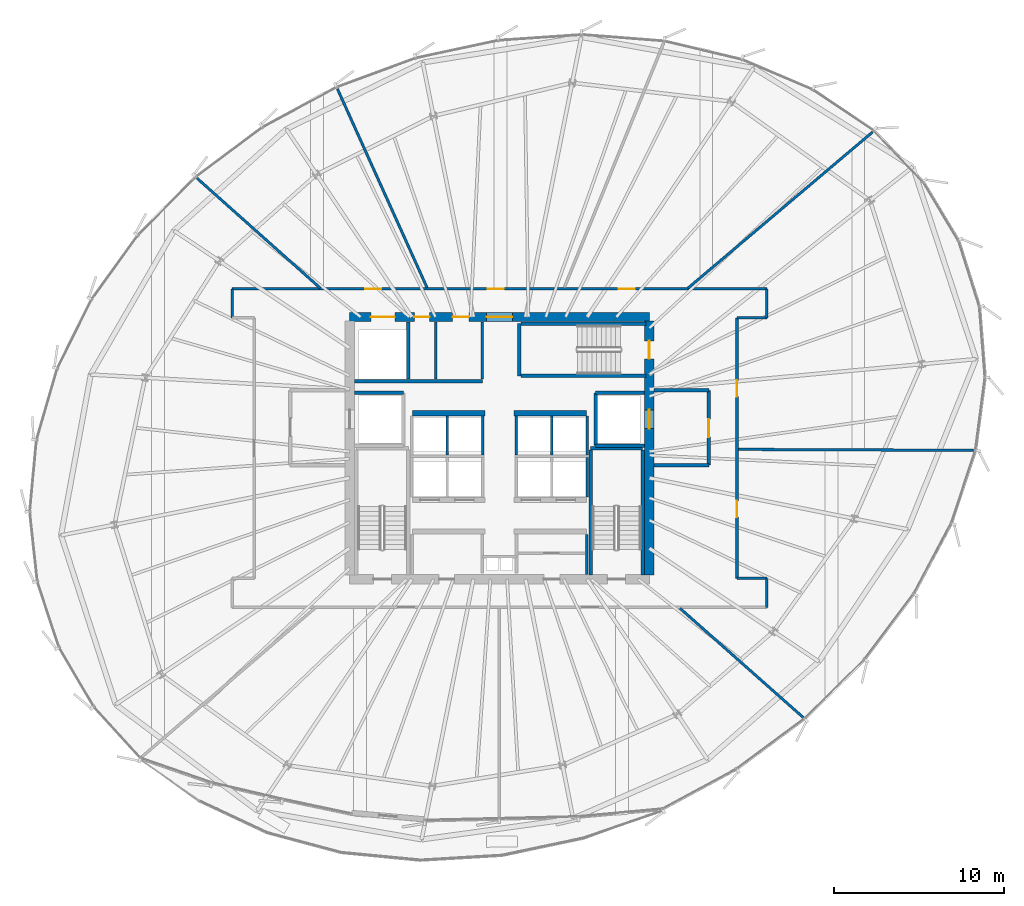
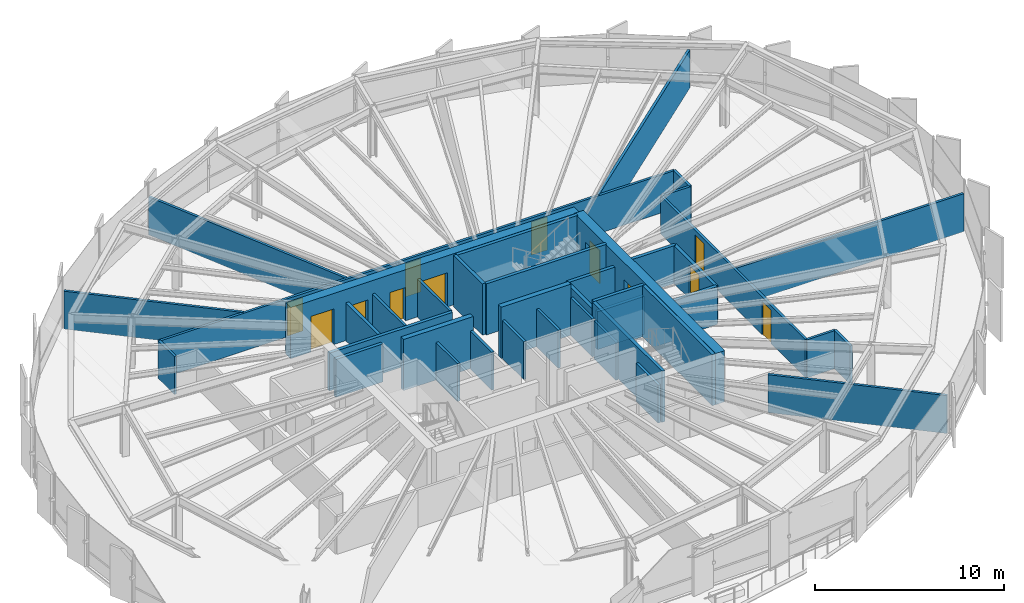
# One storey, part 32 of 37: 40 walls, 12 doors, 12 openings.
"""IFC4 building model written with IfcOpenShell, lengths in metres."""

from ifc_helpers import new_model, si_unit, direction, frame, frame_2d, origin, place, context, subcontext, project, spatial, rectangle, extrude, source, transform, mapped, material, layer, layer_set, type_object, element, fill, save


model = new_model("IFC4")

# Units and contexts
model_context = context("Model", 3, precision=1e-05, world=origin(), true_north=direction((0.0, 1.0)))
body_context = subcontext(model_context, "Body", "Model", "MODEL_VIEW")
ifc_project = project(units=[si_unit("LENGTHUNIT", "METRE"), si_unit("AREAUNIT", "SQUARE_METRE"), si_unit("VOLUMEUNIT", "CUBIC_METRE"), si_unit("PLANEANGLEUNIT", "RADIAN"), si_unit("MASSUNIT", "GRAM", prefix="KILO"), si_unit("THERMODYNAMICTEMPERATUREUNIT", "KELVIN")], contexts=[model_context])

# Site, building, storey
site_placement = place(None, origin())
site = spatial("IfcSite", under=ifc_project, at=site_placement, CompositionType="ELEMENT")
building_placement = place(site_placement, origin())
building = spatial("IfcBuilding", under=site, at=building_placement, Name="Kethvar Cultural Tower", CompositionType="ELEMENT")
storey_placement = place(building_placement, frame((0.0, 0.0, 132.35009765625)))
storey = spatial("IfcBuildingStorey", under=building, at=storey_placement, Name="L33", CompositionType="ELEMENT", Elevation=132.35009765625)

# Wall, openings, doors
ifc_material_1 = material(Name="Concrete C60/75", Category="concrete")
ifc_layer_1 = layer(ifc_material_1, 0.550048828125, Name="Concrete C60/75", Category="concrete")
ifc_layer_set_1 = layer_set([ifc_layer_1], Name="Concrete C60/75 (550 mm)")
wall_type_1 = type_object("IfcWallType", Name="WL-CORE-550", PredefinedType="SHEAR", material=ifc_layer_set_1)
wall_1_placement = place(storey_placement, frame((55.60009765625, 35.5, 0.0), z_axis=(0.0, 0.0, 1.0), x_axis=(-1.0, 0.0, 0.0)))
wall_1 = element("IfcWall", 1, at=wall_1_placement, inside=storey, type_object=wall_type_1, Name="L33 Core Shear Wall N", PredefinedType="SHEAR", context=body_context, shape_type="SweptSolid", body=[
    extrude(rectangle(XDim=17.60009765625, YDim=0.550048828125, at=frame_2d((8.800048828125, 0.0))), origin(), (0.0, 0.0, 1.0), 3.2998046875),
])
opening_1_placement = place(wall_1_placement, frame((8.050048828125, 0.0, 0.0)))
opening_1 = element("IfcOpeningElement", 2, at=opening_1_placement, cuts=wall_1, Name="Opening D-L33-LN", PredefinedType="OPENING", context=body_context, shape_type="SweptSolid", body=[
    extrude(rectangle(XDim=1.5, YDim=2.199951171875, at=frame_2d((0.75, 1.10009765625))), frame((0.0, 0.284912109375, 0.0), z_axis=(0.0, -1.0, 0.0), x_axis=(1.0, 0.0, 0.0)), (0.0, 0.0, 1.0), 0.570068359375),
])
opening_2_placement = place(wall_1_placement, frame((14.949951171875, 0.0, 0.0)))
opening_2 = element("IfcOpeningElement", 3, at=opening_2_placement, cuts=wall_1, Name="Opening LD-G1", PredefinedType="OPENING", context=body_context, shape_type="SweptSolid", body=[
    extrude(rectangle(XDim=1.39990234375, YDim=2.300048828125, at=frame_2d((0.699951171875, 1.14990234375))), frame((0.0, 0.284912109375, 0.0), z_axis=(0.0, -1.0, 0.0), x_axis=(1.0, 0.0, 0.0)), (0.0, 0.0, 1.0), 0.570068359375),
])
opening_3_placement = place(wall_1_placement, frame((12.89990234375, 0.0, 0.0)))
opening_3 = element("IfcOpeningElement", 4, at=opening_3_placement, cuts=wall_1, Name="Opening D-L33-W1", PredefinedType="OPENING", context=body_context, shape_type="SweptSolid", body=[
    extrude(rectangle(XDim=0.89990234375, YDim=2.14990234375, at=frame_2d((0.449951171875, 1.074951171875))), frame((0.0, 0.284912109375, 0.0), z_axis=(0.0, -1.0, 0.0), x_axis=(1.0, 0.0, 0.0)), (0.0, 0.0, 1.0), 0.570068359375),
])
opening_4_placement = place(wall_1_placement, frame((10.60009765625, 0.0, 0.0)))
opening_4 = element("IfcOpeningElement", 5, at=opening_4_placement, cuts=wall_1, Name="Opening D-L33-W2", PredefinedType="OPENING", context=body_context, shape_type="SweptSolid", body=[
    extrude(rectangle(XDim=0.949951171875, YDim=2.14990234375, at=frame_2d((0.47509765625, 1.074951171875))), frame((0.0, 0.284912109375, 0.0), z_axis=(0.0, -1.0, 0.0), x_axis=(1.0, 0.0, 0.0)), (0.0, 0.0, 1.0), 0.570068359375),
])
ifc_material_2 = material(Name="Architectural Oak Timber", Category="wood")
door_type_1 = type_object("IfcDoorType", Name="DR-DBL-FD60-1500", OperationType="DOUBLE_DOOR_SINGLE_SWING", PredefinedType="DOOR", material=ifc_material_2)
shared_shape_1 = source(origin(), body_context, "Body", "SweptSolid", [
    extrude(rectangle(XDim=1.5, YDim=2.199951171875, at=frame_2d((0.75, 1.10009765625))), frame((0.0, 0.02490234375, 0.0), z_axis=(0.0, -1.0, 0.0), x_axis=(1.0, 0.0, 0.0)), (0.0, 0.0, 1.0), 0.050048828125),
])
door_1_placement = place(opening_1_placement, origin())
door_1 = element("IfcDoor", 6, at=door_1_placement, inside=storey, type_object=door_type_1, Name="L33 Lift Lobby Concourse Door", OperationType="DOUBLE_DOOR_SINGLE_SWING", OverallHeight=2.199951171875, OverallWidth=1.5, PredefinedType="DOOR", context=body_context, shape_type="MappedRepresentation", body=[
    mapped(shared_shape_1, transform((0.0, 0.0, 0.0), scale=1.0)),
])
fill(opening_1, door_1)
ifc_material_3 = material(Name="Steel S355J2", Category="steel")
door_type_2 = type_object("IfcDoorType", Name="DR-LIFT-SLIDE-1400", OperationType="NOTDEFINED", PredefinedType="DOOR", material=ifc_material_3)
shared_shape_2 = source(origin(), body_context, "Body", "SweptSolid", [
    extrude(rectangle(XDim=1.39990234375, YDim=2.300048828125, at=frame_2d((0.699951171875, 1.14990234375))), frame((0.0, 0.02490234375, 0.0), z_axis=(0.0, -1.0, 0.0), x_axis=(1.0, 0.0, 0.0)), (0.0, 0.0, 1.0), 0.050048828125),
])
door_2_placement = place(opening_2_placement, origin())
door_2 = element("IfcDoor", 7, at=door_2_placement, inside=storey, type_object=door_type_2, Name="L33 Goods Lift Landing Door", OperationType="SLIDING_TO_RIGHT", OverallHeight=2.300048828125, OverallWidth=1.39990234375, PredefinedType="DOOR", context=body_context, shape_type="MappedRepresentation", body=[
    mapped(shared_shape_2, transform((0.0, 0.0, 0.0), scale=1.0)),
])
fill(opening_2, door_2)
door_type_3 = type_object("IfcDoorType", Name="DR-FD30-950", OperationType="NOTDEFINED", PredefinedType="DOOR", material=ifc_material_2)
shared_shape_3 = source(origin(), body_context, "Body", "SweptSolid", [
    extrude(rectangle(XDim=0.949951171875, YDim=2.14990234375, at=frame_2d((0.47509765625, 1.074951171875))), frame((0.0, 0.02490234375, 0.0), z_axis=(0.0, -1.0, 0.0), x_axis=(1.0, 0.0, 0.0)), (0.0, 0.0, 1.0), 0.050048828125),
])
door_3_placement = place(opening_4_placement, origin())
door_3 = element("IfcDoor", 8, at=door_3_placement, inside=storey, type_object=door_type_3, Name="L33 Public Washroom Door", OperationType="SINGLE_SWING_RIGHT", OverallHeight=2.14990234375, OverallWidth=0.949951171875, PredefinedType="DOOR", context=body_context, shape_type="MappedRepresentation", body=[
    mapped(shared_shape_3, transform((0.0, 0.0, 0.0), scale=1.0)),
])
fill(opening_4, door_3)
door_type_4 = type_object("IfcDoorType", Name="DR-FD30-900", OperationType="NOTDEFINED", PredefinedType="DOOR", material=ifc_material_2)
shared_shape_4 = source(origin(), body_context, "Body", "SweptSolid", [
    extrude(rectangle(XDim=0.89990234375, YDim=2.14990234375, at=frame_2d((0.449951171875, 1.074951171875))), frame((0.0, 0.02490234375, 0.0), z_axis=(0.0, -1.0, 0.0), x_axis=(1.0, 0.0, 0.0)), (0.0, 0.0, 1.0), 0.050048828125),
])
door_4_placement = place(opening_3_placement, origin())
door_4 = element("IfcDoor", 9, at=door_4_placement, inside=storey, type_object=door_type_4, Name="L33 Accessible Washroom Door", OperationType="SINGLE_SWING_LEFT", OverallHeight=2.14990234375, OverallWidth=0.89990234375, PredefinedType="DOOR", context=body_context, shape_type="MappedRepresentation", body=[
    mapped(shared_shape_4, transform((0.0, 0.0, 0.0), scale=1.0)),
])
fill(opening_3, door_4)

wall_2_placement = place(storey_placement, frame((55.60009765625, 20.340087890625, 0.0), z_axis=(0.0, 0.0, 1.0), x_axis=(0.0, 1.0, 0.0)))
wall_2 = element("IfcWall", 10, at=wall_2_placement, inside=storey, type_object=wall_type_1, Name="L33 Core Shear Wall E", PredefinedType="SHEAR", context=body_context, shape_type="SweptSolid", body=[
    extrude(rectangle(XDim=14.919921875, YDim=0.550048828125, at=frame_2d((7.4599609375, 0.0))), origin(), (0.0, 0.0, 1.0), 3.2998046875),
])
opening_5_placement = place(wall_2_placement, frame((12.7099609375, 0.0, 0.0)))
opening_5 = element("IfcOpeningElement", 11, at=opening_5_placement, cuts=wall_2, Name="Opening D-L33-S3", PredefinedType="OPENING", context=body_context, shape_type="SweptSolid", body=[
    extrude(rectangle(XDim=1.050048828125, YDim=2.14990234375, at=frame_2d((0.52490234375, 1.074951171875))), frame((0.0, 0.284912109375, 0.0), z_axis=(0.0, -1.0, 0.0), x_axis=(1.0, 0.0, 0.0)), (0.0, 0.0, 1.0), 0.570068359375),
])
opening_6_placement = place(wall_2_placement, frame((8.610107421875, 0.0, 0.0)))
opening_6 = element("IfcOpeningElement", 12, at=opening_6_placement, cuts=wall_2, Name="Opening LD-2", PredefinedType="OPENING", context=body_context, shape_type="SweptSolid", body=[
    extrude(rectangle(XDim=1.10009765625, YDim=2.199951171875, at=frame_2d((0.550048828125, 1.10009765625))), frame((0.0, 0.284912109375, 0.0), z_axis=(0.0, -1.0, 0.0), x_axis=(1.0, 0.0, 0.0)), (0.0, 0.0, 1.0), 0.570068359375),
])
door_type_5 = type_object("IfcDoorType", Name="DR-FD60-1050", OperationType="NOTDEFINED", PredefinedType="DOOR", material=ifc_material_3)
shared_shape_5 = source(origin(), body_context, "Body", "SweptSolid", [
    extrude(rectangle(XDim=1.050048828125, YDim=2.14990234375, at=frame_2d((0.52490234375, 1.074951171875))), frame((0.0, 0.02490234375, 0.0), z_axis=(0.0, -1.0, 0.0), x_axis=(1.0, 0.0, 0.0)), (0.0, 0.0, 1.0), 0.050048828125),
])
door_5_placement = place(opening_5_placement, origin())
door_5 = element("IfcDoor", 13, at=door_5_placement, inside=storey, type_object=door_type_5, Name="L33 Exit Stair 3 Door", OperationType="SINGLE_SWING_LEFT", OverallHeight=2.14990234375, OverallWidth=1.050048828125, PredefinedType="DOOR", context=body_context, shape_type="MappedRepresentation", body=[
    mapped(shared_shape_5, transform((0.0, 0.0, 0.0), scale=1.0)),
])
fill(opening_5, door_5)
door_type_6 = type_object("IfcDoorType", Name="DR-LIFT-SLIDE-1100", OperationType="NOTDEFINED", PredefinedType="DOOR", material=ifc_material_3)
shared_shape_6 = source(origin(), body_context, "Body", "SweptSolid", [
    extrude(rectangle(XDim=1.10009765625, YDim=2.199951171875, at=frame_2d((0.550048828125, 1.10009765625))), frame((0.0, 0.02490234375, 0.0), z_axis=(0.0, -1.0, 0.0), x_axis=(1.0, 0.0, 0.0)), (0.0, 0.0, 1.0), 0.050048828125),
])
door_6_placement = place(opening_6_placement, origin())
door_6 = element("IfcDoor", 14, at=door_6_placement, inside=storey, type_object=door_type_6, Name="L33 Firefighting Lift Landing Door FFL-02", OperationType="SLIDING_TO_RIGHT", OverallHeight=2.199951171875, OverallWidth=1.10009765625, PredefinedType="DOOR", context=body_context, shape_type="MappedRepresentation", body=[
    mapped(shared_shape_6, transform((0.0, 0.0, 0.0), scale=1.0)),
])
fill(opening_6, door_6)

# Walls
ifc_material_4 = material(Name="Gypsum Fireboard Partition")
ifc_layer_2 = layer(ifc_material_4, 0.14990234375, Name="Gypsum Fireboard Partition")
ifc_layer_set_2 = layer_set([ifc_layer_2], Name="Gypsum Fireboard Partition (150 mm)")
wall_type_2 = type_object("IfcWallType", Name="WL-FIRE-150", PredefinedType="PARTITIONING", material=ifc_layer_set_2)
wall_3_placement = place(storey_placement, frame((51.919921875, 20.385009765625, 0.0), z_axis=(0.0, 0.0, 1.0), x_axis=(0.0, 1.0, 0.0)))
element("IfcWall", 15, at=wall_3_placement, inside=storey, type_object=wall_type_2, Name="L33 Reclaimed East Outer Wall", PredefinedType="PARTITIONING", context=body_context, shape_type="SweptSolid", body=[
    extrude(rectangle(XDim=2.344970703125, YDim=0.14990234375, at=frame_2d((1.17236328125, 0.0))), origin(), (0.0, 0.0, 1.0), 2.44482421875),
])
wall_4_placement = place(storey_placement, frame((51.949951171875, 24.919921875, 0.0), z_axis=(0.0, 0.0, 1.0), x_axis=(0.0, 1.0, 0.0)))
element("IfcWall", 16, at=wall_4_placement, inside=storey, type_object=wall_type_2, Name="L33 Mid-Rise Lift Shaft Outer Wall E", PredefinedType="PARTITIONING", context=body_context, shape_type="SweptSolid", body=[
    extrude(rectangle(XDim=2.320068359375, YDim=0.14990234375, at=frame_2d((1.16015625, 0.0))), origin(), (0.0, 0.0, 1.0), 2.44482421875),
])
for number, where, z_axis, x_axis, name in (
    (17, (43.72509765625, 27.409912109375, 0.0), (0.0, 0.0, 1.0), (0.0, 1.0, 0.0), "L33 High-Rise Lift Shaft Divider W"),
    (18, (45.824951171875, 27.409912109375, 0.0), (0.0, 0.0, 1.0), (0.0, 1.0, 0.0), "L33 High-Rise Lift Shaft Concourse Wall W"),
    (19, (47.77490234375, 27.409912109375, 0.0), (0.0, 0.0, 1.0), (0.0, 1.0, 0.0), "L33 High-Rise Lift Shaft Concourse Wall E"),
    (20, (49.875, 27.409912109375, 0.0), (0.0, 0.0, 1.0), (0.0, 1.0, 0.0), "L33 High-Rise Lift Shaft Divider E"),
    (21, (51.949951171875, 27.409912109375, 0.0), (0.0, 0.0, 1.0), (0.0, 1.0, 0.0), "L33 High-Rise Lift Shaft Outer Wall E"),
):
    element("IfcWall", number, at=place(storey_placement, frame(where, z_axis=z_axis, x_axis=x_axis)), inside=storey, type_object=wall_type_2, Name=name, PredefinedType="PARTITIONING", context=body_context, shape_type="SweptSolid", body=[
        extrude(rectangle(XDim=2.27001953125, YDim=0.14990234375, at=frame_2d((1.135009765625, 0.0))), origin(), (0.0, 0.0, 1.0), 2.44482421875),
    ])
wall_5_placement = place(storey_placement, frame((45.800048828125, 31.85009765625, 0.0), z_axis=(0.0, 0.0, 1.0), x_axis=(0.0, 1.0, 0.0)))
element("IfcWall", 22, at=wall_5_placement, inside=storey, type_object=wall_type_2, Name="L33 Sanitary Spine Wall", PredefinedType="PARTITIONING", context=body_context, shape_type="SweptSolid", body=[
    extrude(rectangle(XDim=3.364990234375, YDim=0.14990234375, at=frame_2d((1.6826171875, 0.0))), origin(), (0.0, 0.0, 1.0), 2.44482421875),
])
wall_6_placement = place(storey_placement, frame((62.5, 18.449951171875, 0.0), z_axis=(0.0, 0.0, 1.0), x_axis=(0.0, 1.0, 0.0)))
element("IfcWall", 23, at=wall_6_placement, inside=storey, type_object=wall_type_2, Name="L33 Corridor Rated Wall ES", PredefinedType="PARTITIONING", context=body_context, shape_type="SweptSolid", body=[
    extrude(rectangle(XDim=1.699951171875, YDim=0.14990234375, at=frame_2d((0.85009765625, 0.0))), origin(), (0.0, 0.0, 1.0), 2.44482421875),
])
wall_7_placement = place(storey_placement, frame((62.5, 20.14990234375, 0.0), z_axis=(0.0, 0.0, 1.0), x_axis=(-1.0, 0.0, 0.0)))
element("IfcWall", 24, at=wall_7_placement, inside=storey, type_object=wall_type_2, Name="L33 Corridor Rated Wall EST", PredefinedType="PARTITIONING", context=body_context, shape_type="SweptSolid", body=[
    extrude(rectangle(XDim=1.75, YDim=0.14990234375, at=frame_2d((0.875, 0.0))), origin(), (0.0, 0.0, 1.0), 2.44482421875),
])

# Wall, openings, doors
wall_8_placement = place(storey_placement, frame((60.75, 20.14990234375, 0.0), z_axis=(0.0, 0.0, 1.0), x_axis=(0.0, 1.0, 0.0)))
wall_8 = element("IfcWall", 25, at=wall_8_placement, inside=storey, type_object=wall_type_2, Name="L33 Corridor Rated Wall EM", PredefinedType="PARTITIONING", context=body_context, shape_type="SweptSolid", body=[
    extrude(rectangle(XDim=15.300048828125, YDim=0.14990234375, at=frame_2d((7.64990234375, 0.0))), origin(), (0.0, 0.0, 1.0), 2.44482421875),
])
opening_7_placement = place(wall_8_placement, frame((3.60400390625, 0.0, 0.0)))
opening_7 = element("IfcOpeningElement", 26, at=opening_7_placement, cuts=wall_8, Name="Opening D-L33-03", PredefinedType="OPENING", context=body_context, shape_type="SweptSolid", body=[
    extrude(rectangle(XDim=0.949951171875, YDim=2.14990234375, at=frame_2d((0.47509765625, 1.074951171875))), frame((0.0, 0.0849609375, 0.0), z_axis=(0.0, -1.0, 0.0), x_axis=(1.0, 0.0, 0.0)), (0.0, 0.0, 1.0), 0.169921875),
])
opening_8_placement = place(wall_8_placement, frame((10.673828125, 0.0, 0.0)))
opening_8 = element("IfcOpeningElement", 27, at=opening_8_placement, cuts=wall_8, Name="Opening D-L33-04", PredefinedType="OPENING", context=body_context, shape_type="SweptSolid", body=[
    extrude(rectangle(XDim=0.949951171875, YDim=2.14990234375, at=frame_2d((0.47509765625, 1.074951171875))), frame((0.0, 0.0849609375, 0.0), z_axis=(0.0, -1.0, 0.0), x_axis=(1.0, 0.0, 0.0)), (0.0, 0.0, 1.0), 0.169921875),
])
door_7_placement = place(opening_7_placement, origin())
door_7 = element("IfcDoor", 28, at=door_7_placement, inside=storey, type_object=door_type_3, Name="L33 Ceramics Craft Workshop 03 Door", OperationType="SINGLE_SWING_RIGHT", OverallHeight=2.14990234375, OverallWidth=0.949951171875, PredefinedType="DOOR", context=body_context, shape_type="MappedRepresentation", body=[
    mapped(shared_shape_3, transform((0.0, 0.0, 0.0), scale=1.0)),
])
fill(opening_7, door_7)
door_8_placement = place(opening_8_placement, origin())
door_8 = element("IfcDoor", 29, at=door_8_placement, inside=storey, type_object=door_type_3, Name="L33 Modernist Music Salon 04 Door", OperationType="SINGLE_SWING_LEFT", OverallHeight=2.14990234375, OverallWidth=0.949951171875, PredefinedType="DOOR", context=body_context, shape_type="MappedRepresentation", body=[
    mapped(shared_shape_3, transform((0.0, 0.0, 0.0), scale=1.0)),
])
fill(opening_8, door_8)

# Walls
wall_9_placement = place(storey_placement, frame((60.75, 35.449951171875, 0.0), z_axis=(0.0, 0.0, 1.0), x_axis=(1.0, 0.0, 0.0)))
element("IfcWall", 30, at=wall_9_placement, inside=storey, type_object=wall_type_2, Name="L33 Corridor Rated Wall ENT", PredefinedType="PARTITIONING", context=body_context, shape_type="SweptSolid", body=[
    extrude(rectangle(XDim=1.75, YDim=0.14990234375, at=frame_2d((0.875, 0.0))), origin(), (0.0, 0.0, 1.0), 2.44482421875),
])
wall_10_placement = place(storey_placement, frame((62.5, 35.449951171875, 0.0), z_axis=(0.0, 0.0, 1.0), x_axis=(0.0, 1.0, 0.0)))
element("IfcWall", 31, at=wall_10_placement, inside=storey, type_object=wall_type_2, Name="L33 Corridor Rated Wall EN", PredefinedType="PARTITIONING", context=body_context, shape_type="SweptSolid", body=[
    extrude(rectangle(XDim=1.699951171875, YDim=0.14990234375, at=frame_2d((0.85009765625, 0.0))), origin(), (0.0, 0.0, 1.0), 2.44482421875),
])

# Wall, openings, doors
wall_11_placement = place(storey_placement, frame((62.5, 37.14990234375, 0.0), z_axis=(0.0, 0.0, 1.0), x_axis=(-1.0, 0.0, 0.0)))
wall_11 = element("IfcWall", 32, at=wall_11_placement, inside=storey, type_object=wall_type_2, Name="L33 Corridor Rated Wall N", PredefinedType="PARTITIONING", context=body_context, shape_type="SweptSolid", body=[
    extrude(rectangle(XDim=31.39990234375, YDim=0.14990234375, at=frame_2d((15.699951171875, 0.0))), origin(), (0.0, 0.0, 1.0), 2.44482421875),
])
opening_9_placement = place(wall_11_placement, frame((7.755126953125, 0.0, 0.0)))
opening_9 = element("IfcOpeningElement", 33, at=opening_9_placement, cuts=wall_11, Name="Opening D-L33-05", PredefinedType="OPENING", context=body_context, shape_type="SweptSolid", body=[
    extrude(rectangle(XDim=0.949951171875, YDim=2.14990234375, at=frame_2d((0.47509765625, 1.074951171875))), frame((0.0, 0.0849609375, 0.0), z_axis=(0.0, -1.0, 0.0), x_axis=(1.0, 0.0, 0.0)), (0.0, 0.0, 1.0), 0.169921875),
])
opening_10_placement = place(wall_11_placement, frame((15.451416015625, 0.0, 0.0)))
opening_10 = element("IfcOpeningElement", 34, at=opening_10_placement, cuts=wall_11, Name="Opening D-L33-06", PredefinedType="OPENING", context=body_context, shape_type="SweptSolid", body=[
    extrude(rectangle(XDim=0.949951171875, YDim=2.14990234375, at=frame_2d((0.47509765625, 1.074951171875))), frame((0.0, 0.0849609375, 0.0), z_axis=(0.0, -1.0, 0.0), x_axis=(1.0, 0.0, 0.0)), (0.0, 0.0, 1.0), 0.169921875),
])
opening_11_placement = place(wall_11_placement, frame((22.642333984375, 0.0, 0.0)))
opening_11 = element("IfcOpeningElement", 35, at=opening_11_placement, cuts=wall_11, Name="Opening D-L33-07", PredefinedType="OPENING", context=body_context, shape_type="SweptSolid", body=[
    extrude(rectangle(XDim=0.949951171875, YDim=2.14990234375, at=frame_2d((0.47509765625, 1.074951171875))), frame((0.0, 0.0849609375, 0.0), z_axis=(0.0, -1.0, 0.0), x_axis=(1.0, 0.0, 0.0)), (0.0, 0.0, 1.0), 0.169921875),
])
door_9_placement = place(opening_9_placement, origin())
door_9 = element("IfcDoor", 36, at=door_9_placement, inside=storey, type_object=door_type_3, Name="L33 Academic Study Lounge 05 Door", OperationType="SINGLE_SWING_RIGHT", OverallHeight=2.14990234375, OverallWidth=0.949951171875, PredefinedType="DOOR", context=body_context, shape_type="MappedRepresentation", body=[
    mapped(shared_shape_3, transform((0.0, 0.0, 0.0), scale=1.0)),
])
fill(opening_9, door_9)
door_10_placement = place(opening_10_placement, origin())
door_10 = element("IfcDoor", 37, at=door_10_placement, inside=storey, type_object=door_type_3, Name="L33 Collection Archive Storage 06 Door", OperationType="SINGLE_SWING_LEFT", OverallHeight=2.14990234375, OverallWidth=0.949951171875, PredefinedType="DOOR", context=body_context, shape_type="MappedRepresentation", body=[
    mapped(shared_shape_3, transform((0.0, 0.0, 0.0), scale=1.0)),
])
fill(opening_10, door_10)
door_11_placement = place(opening_11_placement, origin())
door_11 = element("IfcDoor", 38, at=door_11_placement, inside=storey, type_object=door_type_3, Name="L33 Laboratory Tea Pantry 07 Door", OperationType="SINGLE_SWING_RIGHT", OverallHeight=2.14990234375, OverallWidth=0.949951171875, PredefinedType="DOOR", context=body_context, shape_type="MappedRepresentation", body=[
    mapped(shared_shape_3, transform((0.0, 0.0, 0.0), scale=1.0)),
])
fill(opening_11, door_11)

# Walls
wall_12_placement = place(storey_placement, frame((31.10009765625, 37.14990234375, 0.0), z_axis=(0.0, 0.0, 1.0), x_axis=(0.0, -1.0, 0.0)))
element("IfcWall", 39, at=wall_12_placement, inside=storey, type_object=wall_type_2, Name="L33 Corridor Rated Wall WN", PredefinedType="PARTITIONING", context=body_context, shape_type="SweptSolid", body=[
    extrude(rectangle(XDim=1.699951171875, YDim=0.14990234375, at=frame_2d((0.85009765625, 0.0))), origin(), (0.0, 0.0, 1.0), 2.44482421875),
])
ifc_material_5 = material(Name="Concrete C40/50", Category="concrete")
ifc_layer_3 = layer(ifc_material_5, 0.199951171875, Name="Concrete C40/50", Category="concrete")
ifc_layer_set_3 = layer_set([ifc_layer_3], Name="Concrete C40/50 (200 mm)")
wall_type_3 = type_object("IfcWallType", Name="WL-FIRE-200", PredefinedType="PARTITIONING", material=ifc_layer_set_3)
wall_13_placement = place(storey_placement, frame((38.284912109375, 31.050048828125, 0.0), z_axis=(0.0, 0.0, 1.0), x_axis=(1.0, 0.0, 0.0)))
element("IfcWall", 40, at=wall_13_placement, inside=storey, type_object=wall_type_3, Name="L33 FFL-01 Shaft North Wall", PredefinedType="PARTITIONING", context=body_context, shape_type="SweptSolid", body=[
    extrude(rectangle(XDim=2.864990234375, YDim=0.199951171875, at=frame_2d((1.4326171875, 0.0))), origin(), (0.0, 0.0, 1.0), 2.44482421875),
])
wall_14_placement = place(storey_placement, frame((52.449951171875, 27.949951171875, 0.0), z_axis=(0.0, 0.0, 1.0), x_axis=(0.0, 1.0, 0.0)))
element("IfcWall", 41, at=wall_14_placement, inside=storey, type_object=wall_type_3, Name="L33 FFL-02 Shaft Inner Wall", PredefinedType="PARTITIONING", context=body_context, shape_type="SweptSolid", body=[
    extrude(rectangle(XDim=3.10009765625, YDim=0.199951171875, at=frame_2d((1.550048828125, 0.0))), origin(), (0.0, 0.0, 1.0), 2.44482421875),
])
for number, where, z_axis, x_axis, name in (
    (42, (52.449951171875, 27.949951171875, 0.0), (0.0, 0.0, 1.0), (1.0, 0.0, 0.0), "L33 FFL-02 Shaft South Wall"),
    (43, (52.449951171875, 31.050048828125, 0.0), (0.0, 0.0, 1.0), (1.0, 0.0, 0.0), "L33 FFL-02 Shaft North Wall"),
):
    element("IfcWall", number, at=place(storey_placement, frame(where, z_axis=z_axis, x_axis=x_axis)), inside=storey, type_object=wall_type_3, Name=name, PredefinedType="PARTITIONING", context=body_context, shape_type="SweptSolid", body=[
        extrude(rectangle(XDim=2.864990234375, YDim=0.199951171875, at=frame_2d((1.4326171875, 0.0))), origin(), (0.0, 0.0, 1.0), 2.44482421875),
    ])

# Wall, opening, door
wall_15_placement = place(storey_placement, frame((59.10009765625, 26.800048828125, 0.0), z_axis=(0.0, 0.0, 1.0), x_axis=(0.0, 1.0, 0.0)))
wall_15 = element("IfcWall", 44, at=wall_15_placement, inside=storey, type_object=wall_type_3, Name="L33 Firefighting Lobby 2 Wall", PredefinedType="PARTITIONING", context=body_context, shape_type="SweptSolid", body=[
    extrude(rectangle(XDim=4.39990234375, YDim=0.199951171875, at=frame_2d((2.199951171875, 0.0))), origin(), (0.0, 0.0, 1.0), 2.44482421875),
])
opening_12_placement = place(wall_15_placement, frame((1.64990234375, 0.0, 0.0)))
opening_12 = element("IfcOpeningElement", 45, at=opening_12_placement, cuts=wall_15, Name="Opening D-L33-F2", PredefinedType="OPENING", context=body_context, shape_type="SweptSolid", body=[
    extrude(rectangle(XDim=1.050048828125, YDim=2.14990234375, at=frame_2d((0.52490234375, 1.074951171875))), frame((0.0, 0.10986328125, 0.0), z_axis=(0.0, -1.0, 0.0), x_axis=(1.0, 0.0, 0.0)), (0.0, 0.0, 1.0), 0.219970703125),
])
door_12_placement = place(opening_12_placement, origin())
door_12 = element("IfcDoor", 46, at=door_12_placement, inside=storey, type_object=door_type_5, Name="L33 Firefighting Lobby 2 Fire Door", OperationType="SINGLE_SWING_LEFT", OverallHeight=2.14990234375, OverallWidth=1.050048828125, PredefinedType="DOOR", context=body_context, shape_type="MappedRepresentation", body=[
    mapped(shared_shape_5, transform((0.0, 0.0, 0.0), scale=1.0)),
])
fill(opening_12, door_12)

# Walls
for number, where, z_axis, x_axis, name in (
    (47, (55.885009765625, 26.800048828125, 0.0), (0.0, 0.0, 1.0), (1.0, 0.0, 0.0), "L33 FF Lobby 2 South Wall"),
    (48, (55.885009765625, 31.199951171875, 0.0), (0.0, 0.0, 1.0), (1.0, 0.0, 0.0), "L33 FF Lobby 2 North Wall"),
):
    element("IfcWall", number, at=place(storey_placement, frame(where, z_axis=z_axis, x_axis=x_axis)), inside=storey, type_object=wall_type_3, Name=name, PredefinedType="PARTITIONING", context=body_context, shape_type="SweptSolid", body=[
        extrude(rectangle(XDim=3.215087890625, YDim=0.199951171875, at=frame_2d((1.607421875, 0.0))), origin(), (0.0, 0.0, 1.0), 2.44482421875),
    ])
wall_16_placement = place(storey_placement, frame((41.449951171875, 31.85009765625, 0.0), z_axis=(0.0, 0.0, 1.0), x_axis=(0.0, 1.0, 0.0)))
element("IfcWall", 49, at=wall_16_placement, inside=storey, type_object=wall_type_3, Name="L33 NW Core Pocket Wall", PredefinedType="PARTITIONING", context=body_context, shape_type="SweptSolid", body=[
    extrude(rectangle(XDim=3.364990234375, YDim=0.199951171875, at=frame_2d((1.6826171875, 0.0))), origin(), (0.0, 0.0, 1.0), 2.44482421875),
])
wall_17_placement = place(storey_placement, frame((38.284912109375, 31.72998046875, 0.0), z_axis=(0.0, 0.0, 1.0), x_axis=(1.0, 0.0, 0.0)))
element("IfcWall", 50, at=wall_17_placement, inside=storey, type_object=wall_type_3, Name="L33 North Core Sanitary South Wall", PredefinedType="PARTITIONING", context=body_context, shape_type="SweptSolid", body=[
    extrude(rectangle(XDim=7.51513671875, YDim=0.199951171875, at=frame_2d((3.757568359375, 0.0))), origin(), (0.0, 0.0, 1.0), 2.44482421875),
])
ifc_material_6 = material(Name="Gypsum Acoustic Partition")
ifc_layer_4 = layer(ifc_material_6, 0.14990234375, Name="Gypsum Acoustic Partition")
ifc_layer_set_4 = layer_set([ifc_layer_4], Name="Gypsum Acoustic Partition (150 mm)")
wall_type_4 = type_object("IfcWallType", Name="WL-PART-150", PredefinedType="PARTITIONING", material=ifc_layer_set_4)
wall_18_placement = place(storey_placement, frame((57.398193359375, 18.39697265625, 0.0), z_axis=(0.0, 0.0, 1.0), x_axis=(0.748504738048, -0.663129442206, 0.0)))
element("IfcWall", 51, at=wall_18_placement, inside=storey, type_object=wall_type_4, Name="L33 Radial Partition Wall 03", PredefinedType="PARTITIONING", context=body_context, shape_type="SweptSolid", body=[
    extrude(rectangle(XDim=9.66845703125, YDim=0.14990234375, at=frame_2d((4.834228515625, 0.0))), origin(), (0.0, 0.0, 1.0), 2.44482421875),
])
wall_19_placement = place(storey_placement, frame((60.830078125, 27.7275390625, 0.0), z_axis=(0.0, 0.0, 1.0), x_axis=(0.999991231603, -0.004187686361, 0.0)))
element("IfcWall", 52, at=wall_19_placement, inside=storey, type_object=wall_type_4, Name="L33 Radial Partition Wall 04", PredefinedType="PARTITIONING", context=body_context, shape_type="SweptSolid", body=[
    extrude(rectangle(XDim=13.81689453125, YDim=0.14990234375, at=frame_2d((6.908447265625, 0.0))), origin(), (0.0, 0.0, 1.0), 2.44482421875),
])
wall_20_placement = place(storey_placement, frame((57.873779296875, 37.20166015625, 0.0), z_axis=(0.0, 0.0, 1.0), x_axis=(0.763654407018, 0.645625236993, 0.0)))
element("IfcWall", 53, at=wall_20_placement, inside=storey, type_object=wall_type_4, Name="L33 Radial Partition Wall 05", PredefinedType="PARTITIONING", context=body_context, shape_type="SweptSolid", body=[
    extrude(rectangle(XDim=14.19189453125, YDim=0.14990234375, at=frame_2d((7.095947265625, 0.0))), origin(), (0.0, 0.0, 1.0), 2.44482421875),
])
wall_21_placement = place(storey_placement, frame((42.54541015625, 37.222900390625, 0.0), z_axis=(0.0, 0.0, 1.0), x_axis=(-0.410961449485, 0.911652722827, 0.0)))
element("IfcWall", 54, at=wall_21_placement, inside=storey, type_object=wall_type_4, Name="L33 Radial Partition Wall 07", PredefinedType="PARTITIONING", context=body_context, shape_type="SweptSolid", body=[
    extrude(rectangle(XDim=12.806884765625, YDim=0.14990234375, at=frame_2d((6.4033203125, 0.0))), origin(), (0.0, 0.0, 1.0), 2.44482421875),
])
wall_22_placement = place(storey_placement, frame((36.26806640625, 37.203125, 0.0), z_axis=(0.0, 0.0, 1.0), x_axis=(-0.746338755333, 0.665566271898, 0.0)))
element("IfcWall", 55, at=wall_22_placement, inside=storey, type_object=wall_type_4, Name="L33 Radial Partition Wall 08", PredefinedType="PARTITIONING", context=body_context, shape_type="SweptSolid", body=[
    extrude(rectangle(XDim=9.684326171875, YDim=0.14990234375, at=frame_2d((4.84228515625, 0.0))), origin(), (0.0, 0.0, 1.0), 2.44482421875),
])
ifc_material_7 = material(Name="Moisture-Resistant Sanitary Chase Wall")
ifc_layer_5 = layer(ifc_material_7, 0.14990234375, Name="Moisture-Resistant Sanitary Chase Wall")
ifc_layer_set_5 = layer_set([ifc_layer_5], Name="Moisture-Resistant Sanitary Chase Wall (150 mm)")
wall_type_5 = type_object("IfcWallType", Name="WL-PLUMB-150", PredefinedType="PLUMBINGWALL", material=ifc_layer_set_5)
wall_23_placement = place(storey_placement, frame((43.050048828125, 31.85009765625, 0.0), z_axis=(0.0, 0.0, 1.0), x_axis=(0.0, 1.0, 0.0)))
element("IfcWall", 56, at=wall_23_placement, inside=storey, type_object=wall_type_5, Name="L33 Sanitary Plumbing Wall", PredefinedType="PLUMBINGWALL", context=body_context, shape_type="SweptSolid", body=[
    extrude(rectangle(XDim=3.364990234375, YDim=0.14990234375, at=frame_2d((1.6826171875, 0.0))), origin(), (0.0, 0.0, 1.0), 2.44482421875),
])
ifc_material_8 = material(Name="Concrete C50/60", Category="concrete")
ifc_layer_6 = layer(ifc_material_8, 0.300048828125, Name="Concrete C50/60", Category="concrete")
ifc_layer_set_6 = layer_set([ifc_layer_6], Name="Concrete C50/60 (300 mm)")
wall_type_6 = type_object("IfcWallType", Name="WL-SHAFT-300", PredefinedType="SHEAR", material=ifc_layer_set_6)
for number, where, z_axis, x_axis, name in (
    (57, (41.699951171875, 29.85009765625, 0.0), (0.0, 0.0, 1.0), (1.0, 0.0, 0.0), "L33 Core Lift Spine Wall MID3W"),
    (58, (47.64990234375, 29.85009765625, 0.0), (0.0, 0.0, 1.0), (1.0, 0.0, 0.0), "L33 Core Lift Spine Wall MID3E"),
):
    element("IfcWall", number, at=place(storey_placement, frame(where, z_axis=z_axis, x_axis=x_axis)), inside=storey, type_object=wall_type_6, Name=name, PredefinedType="SHEAR", context=body_context, shape_type="SweptSolid", body=[
        extrude(rectangle(XDim=4.25, YDim=0.300048828125, at=frame_2d((2.125, 0.0))), origin(), (0.0, 0.0, 1.0), 3.2998046875),
    ])
ifc_layer_7 = layer(ifc_material_8, 0.199951171875, Name="Concrete C50/60", Category="concrete")
ifc_layer_set_7 = layer_set([ifc_layer_7], Name="Concrete C50/60 (200 mm)")
wall_type_7 = type_object("IfcWallType", Name="WL-STSHAFT-200", PredefinedType="SHEAR", material=ifc_layer_set_7)
wall_24_placement = place(storey_placement, frame((52.14990234375, 27.800048828125, 0.0), z_axis=(0.0, 0.0, 1.0), x_axis=(1.0, 0.0, 0.0)))
element("IfcWall", 59, at=wall_24_placement, inside=storey, type_object=wall_type_7, Name="L33 ST-02 Stair Shaft Wall FAR", PredefinedType="SHEAR", context=body_context, shape_type="SweptSolid", body=[
    extrude(rectangle(XDim=3.06005859375, YDim=0.199951171875, at=frame_2d((1.530029296875, 0.0))), origin(), (0.0, 0.0, 1.0), 3.2998046875),
])
for number, where, z_axis, x_axis, name in (
    (60, (55.2099609375, 27.699951171875, 0.0), (0.0, 0.0, 1.0), (0.0, -1.0, 0.0), "L33 ST-02 Stair Shaft Wall LEFT"),
    (61, (52.14990234375, 20.35009765625, 0.0), (0.0, 0.0, 1.0), (0.0, 1.0, 0.0), "L33 ST-02 Stair Shaft Wall RIGHT"),
):
    element("IfcWall", number, at=place(storey_placement, frame(where, z_axis=z_axis, x_axis=x_axis)), inside=storey, type_object=wall_type_7, Name=name, PredefinedType="SHEAR", context=body_context, shape_type="SweptSolid", body=[
        extrude(rectangle(XDim=7.349853515625, YDim=0.199951171875, at=frame_2d((3.6748046875, 0.0))), origin(), (0.0, 0.0, 1.0), 3.2998046875),
    ])
wall_25_placement = place(storey_placement, frame((47.949951171875, 32.050048828125, 0.0), z_axis=(0.0, 0.0, 1.0), x_axis=(0.0, 1.0, 0.0)))
element("IfcWall", 62, at=wall_25_placement, inside=storey, type_object=wall_type_7, Name="L33 ST-03 Stair Shaft Wall FAR", PredefinedType="SHEAR", context=body_context, shape_type="SweptSolid", body=[
    extrude(rectangle(XDim=3.06005859375, YDim=0.199951171875, at=frame_2d((1.530029296875, 0.0))), origin(), (0.0, 0.0, 1.0), 3.2998046875),
])
for number, where, z_axis, x_axis, name in (
    (63, (48.050048828125, 35.110107421875, 0.0), (0.0, 0.0, 1.0), (1.0, 0.0, 0.0), "L33 ST-03 Stair Shaft Wall LEFT"),
    (64, (55.39990234375, 32.050048828125, 0.0), (0.0, 0.0, 1.0), (-1.0, 0.0, 0.0), "L33 ST-03 Stair Shaft Wall RIGHT"),
):
    element("IfcWall", number, at=place(storey_placement, frame(where, z_axis=z_axis, x_axis=x_axis)), inside=storey, type_object=wall_type_7, Name=name, PredefinedType="SHEAR", context=body_context, shape_type="SweptSolid", body=[
        extrude(rectangle(XDim=7.349853515625, YDim=0.199951171875, at=frame_2d((3.6748046875, 0.0))), origin(), (0.0, 0.0, 1.0), 3.2998046875),
    ])

save(model, "model.ifc")
